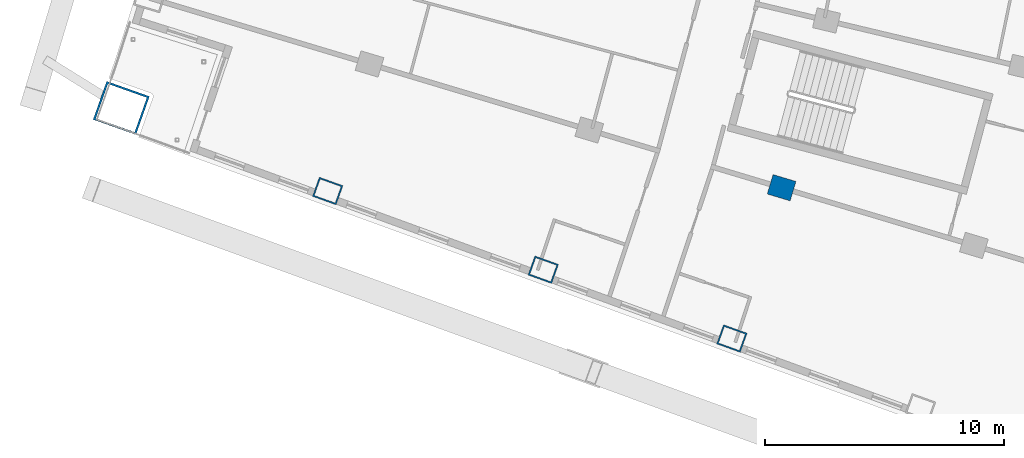
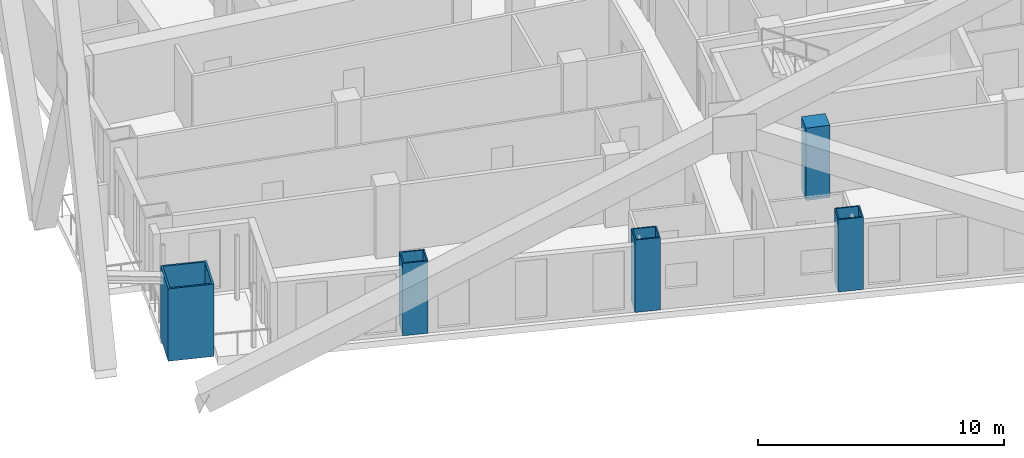
# One storey, part 1 of 24: 5 columns.
"""IFC4 building model written with IfcOpenShell, lengths in metres."""

from ifc_helpers import new_model, si_unit, direction, frame, origin, origin_2d, place, context, subcontext, project, spatial, rectangle, hollow_rectangle, extrude, material, material_profile, profile_set, type_object, element, save


model = new_model("IFC4")

# Units and contexts
model_context = context("Model", 3, precision=1e-05, world=origin(), true_north=direction((0.0, 1.0)))
body_context = subcontext(model_context, "Body", "Model", "MODEL_VIEW")
ifc_project = project(units=[si_unit("LENGTHUNIT", "METRE"), si_unit("AREAUNIT", "SQUARE_METRE"), si_unit("VOLUMEUNIT", "CUBIC_METRE"), si_unit("PLANEANGLEUNIT", "RADIAN"), si_unit("MASSUNIT", "GRAM", prefix="KILO")], contexts=[model_context])

# Site, building, storey
site_placement = place(None, origin())
site = spatial("IfcSite", under=ifc_project, at=site_placement, CompositionType="ELEMENT")
building_placement = place(site_placement, origin())
building = spatial("IfcBuilding", under=site, at=building_placement, Name="Alderwake Tower", CompositionType="ELEMENT")
storey_placement = place(building_placement, frame((0.0, 0.0, 104.0)))
storey = spatial("IfcBuildingStorey", under=building, at=storey_placement, Name="L25", CompositionType="ELEMENT", Elevation=104.0)

# Columns
ifc_material_1 = material(Name="Steel ASTM A572 Grade 50 concrete filled C70/85", Category="concrete")
ifc_material_profile_1 = material_profile(ifc_material_1, hollow_rectangle(XDim=0.85009765625, YDim=1.050048828125, WallThickness=0.06005859375, at=origin_2d()), Name="BOX 1050X850X60")
ifc_profile_set_1 = profile_set([ifc_material_profile_1], Name="Steel ASTM A572 Grade 50 concrete filled C70/85")
column_type_1 = type_object("IfcColumnType", Name="End column Z2", PredefinedType="COLUMN", material=ifc_profile_set_1)
for number, where, z_axis, x_axis, name in (
    (1, (19.965576171875, 25.1484375, 0.0), (0.0, 0.0, 1.0), (0.337584879279, 0.9412950915, 0.0), "Column R01-C1"),
    (2, (28.983642578125, 21.856689453125, 0.0), (0.0, 0.0, 1.0), (0.338026774049, 0.941136493834, 0.0), "Column R01-C2"),
    (3, (36.87451171875, 18.976318359375, 0.0), (0.0, 0.0, 1.0), (0.338355272059, 0.941018442896, 0.0), "Column R01-C3"),
):
    element("IfcColumn", number, at=place(storey_placement, frame(where, z_axis=z_axis, x_axis=x_axis)), inside=storey, type_object=column_type_1, Name=name, PredefinedType="COLUMN", context=body_context, shape_type="SweptSolid", body=[
        extrude(hollow_rectangle(XDim=0.85009765625, YDim=1.050048828125, WallThickness=0.06005859375, at=origin_2d()), origin(), (0.0, 0.0, 1.0), 3.60009765625),
    ])
ifc_material_2 = material(Name="Concrete C70/85", Category="concrete")
ifc_material_profile_2 = material_profile(ifc_material_2, rectangle(XDim=0.85009765625, YDim=1.0, at=origin_2d()), Name="RC 1000X850")
ifc_profile_set_2 = profile_set([ifc_material_profile_2], Name="Concrete C70/85")
column_type_2 = type_object("IfcColumnType", Name="Interior column Z2", PredefinedType="COLUMN", material=ifc_profile_set_2)
column_1_placement = place(storey_placement, frame((38.95458984375, 25.286376953125, 0.0), z_axis=(0.0, 0.0, 1.0), x_axis=(0.287549418125, 0.957765802342, 0.0)))
element("IfcColumn", 4, at=column_1_placement, inside=storey, type_object=column_type_2, Name="Column R02-C3", PredefinedType="COLUMN", context=body_context, shape_type="SweptSolid", body=[
    extrude(rectangle(XDim=0.85009765625, YDim=1.0, at=origin_2d()), origin(), (0.0, 0.0, 1.0), 3.60009765625),
])
ifc_material_3 = material(Name="Steel ASTM A572 Grade 50 concrete filled C70/85", Category="concrete")
ifc_material_profile_3 = material_profile(ifc_material_3, hollow_rectangle(XDim=1.699951171875, YDim=1.89990234375, WallThickness=0.0849609375, at=origin_2d()), Name="BOX 1900X1700X85")
ifc_profile_set_3 = profile_set([ifc_material_profile_3], Name="Steel ASTM A572 Grade 50 concrete filled C70/85")
column_type_3 = type_object("IfcColumnType", Name="Mega column Z2", PredefinedType="COLUMN", material=ifc_profile_set_3)
column_2_placement = place(storey_placement, frame((11.330810546875, 28.622802734375, 0.0), z_axis=(0.0, 0.0, 1.0), x_axis=(0.334130947791, 0.942526662609, 0.0)))
element("IfcColumn", 5, at=column_2_placement, inside=storey, type_object=column_type_3, Name="Column R01-C0", PredefinedType="COLUMN", context=body_context, shape_type="SweptSolid", body=[
    extrude(hollow_rectangle(XDim=1.699951171875, YDim=1.89990234375, WallThickness=0.0849609375, at=origin_2d()), origin(), (0.0, 0.0, 1.0), 3.60009765625),
])

save(model, "model.ifc")
